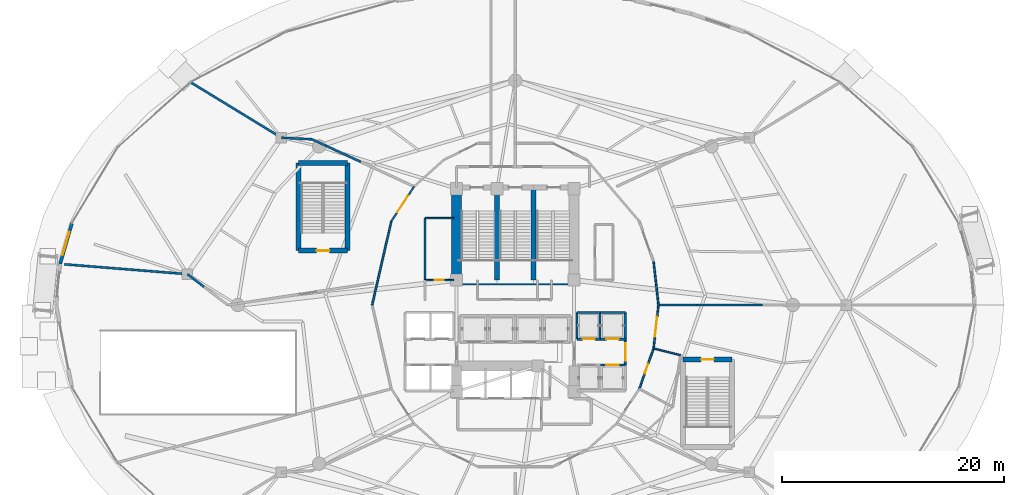
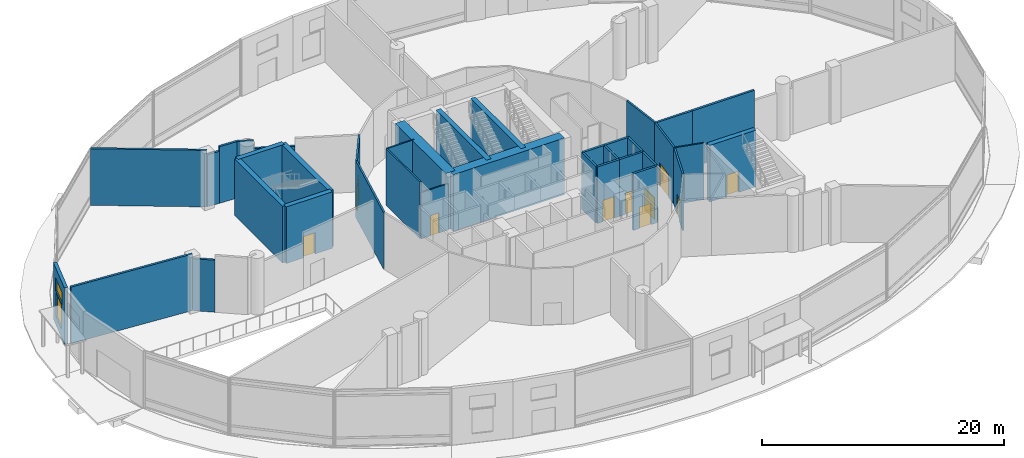
# One storey, part 33 of 40: 37 walls, 10 doors, 2 windows, 12 openings.
"""IFC4 building model written with IfcOpenShell, lengths in metres."""

import ifcopenshell
import ifcopenshell.guid

model = None  # the IFC model being written
_history = None  # IfcOwnerHistory: only IFC2X3 demands one
_inside = {}  # id of a spatial element -> (the spatial element, [elements in it])
_under = {}  # id of a project, library or spatial element -> (it, [spatial elements below it])
_declared = {}  # id of a project -> (the project, [libraries it declares])
_typed = {}  # id of a type object -> (the type object, [elements of that type])
_made_of = {}  # id of a material, layer set ... -> (it, [elements and type objects made of it])


def new_model(schema):
    """Start an empty IFC model of exactly this schema.

    Asked for "IFC4X3", IfcOpenShell would pick the latest addendum, in which some entities
    have other attributes; the version numbers below select the first issue.
    IFC2X3 requires an IfcOwnerHistory on every rooted entity: one is made here for all.
    """
    global model, _history
    if schema == "IFC4X3":
        model = ifcopenshell.file(schema_version=(4, 3, 0, 0))
    else:
        model = ifcopenshell.file(schema=schema)
    _inside.clear()
    _under.clear()
    _declared.clear()
    _typed.clear()
    _made_of.clear()
    _history = None
    if model.schema == "IFC2X3":
        org = make("IfcOrganization", Name="unknown")
        user = make(
            "IfcPersonAndOrganization",
            ThePerson=make("IfcPerson", FamilyName="unknown"),
            TheOrganization=org,
        )
        app = make(
            "IfcApplication",
            ApplicationDeveloper=org,
            Version="unknown",
            ApplicationFullName="unknown",
            ApplicationIdentifier="unknown",
        )
        _history = make(
            "IfcOwnerHistory",
            OwningUser=user,
            OwningApplication=app,
            ChangeAction="ADDED",
            CreationDate=0,
        )
    return model


def make(cls, **values):
    """One entity of the class cls with the attributes given. An attribute that is None is left unset."""
    return model.create_entity(
        cls, **{name: value for name, value in values.items() if value is not None}
    )


def rooted(cls, **values):
    """An entity with a GlobalId (a new one), such as an element, a storey or a relation."""
    return make(cls, GlobalId=ifcopenshell.guid.new(), OwnerHistory=_history, **values)


def si_unit(unit_type, name, prefix=None):
    """IfcSIUnit, for example si_unit("LENGTHUNIT", "METRE", prefix="MILLI")."""
    return make("IfcSIUnit", UnitType=unit_type, Prefix=prefix, Name=name)


def assignment(units):
    """IfcUnitAssignment: the units of a project."""
    return None if units is None else make("IfcUnitAssignment", Units=units)


def point(xyz):
    """IfcCartesianPoint."""
    return None if xyz is None else make("IfcCartesianPoint", Coordinates=xyz)


def direction(xyz):
    """IfcDirection."""
    return None if xyz is None else make("IfcDirection", DirectionRatios=xyz)


def frame(location, z_axis=None, x_axis=None):
    """IfcAxis2Placement3D, a coordinate frame: its origin and axes. An axis left out is left unset."""
    return make(
        "IfcAxis2Placement3D",
        Location=point(location),
        Axis=direction(z_axis),
        RefDirection=direction(x_axis),
    )


def frame_2d(location, x_axis=None):
    """IfcAxis2Placement2D, a coordinate frame in the plane: its origin and x axis."""
    return make(
        "IfcAxis2Placement2D", Location=point(location), RefDirection=direction(x_axis)
    )


def origin():
    """The frame at (0, 0, 0) with its axes left unset."""
    return frame((0.0, 0.0, 0.0))


def place(relative_to, where):
    """IfcLocalPlacement: puts the frame where relative to a parent placement (None: the world)."""
    return make(
        "IfcLocalPlacement", PlacementRelTo=relative_to, RelativePlacement=where
    )


def context(
    kind, dimensions, precision=None, world=None, true_north=None, identifier=None
):
    """IfcGeometricRepresentationContext, for example the 3D "Model" context."""
    return make(
        "IfcGeometricRepresentationContext",
        ContextIdentifier=identifier,
        ContextType=kind,
        CoordinateSpaceDimension=dimensions,
        Precision=precision,
        WorldCoordinateSystem=world,
        TrueNorth=true_north,
    )


def subcontext(parent, identifier, kind, view, scale=None):
    """IfcGeometricRepresentationSubContext, for example "Body" below "Model"."""
    return make(
        "IfcGeometricRepresentationSubContext",
        ContextIdentifier=identifier,
        ContextType=kind,
        ParentContext=parent,
        TargetScale=scale,
        TargetView=view,
    )


def project(units=None, contexts=None):
    """IfcProject with its units and contexts."""
    return rooted(
        "IfcProject",
        Name="project",
        RepresentationContexts=contexts,
        UnitsInContext=assignment(units),
    )


def spatial(cls, under=None, at=None, **own):
    """A site, building, storey or space (cls), placed at a placement, below another one or the project."""
    s = rooted(cls, ObjectPlacement=at, **own)
    if under is not None:
        _under.setdefault(under.id(), (under, []))[1].append(s)
    return s


def profile(cls, at=None, kind="AREA", **sizes):
    """A parametric profile (cls). Its sizes go by their IFC names, for example OverallWidth=200.0."""
    return make(cls, ProfileType=kind, Position=at, **sizes)


def rectangle(**sizes):
    """IfcRectangleProfileDef."""
    return profile("IfcRectangleProfileDef", **sizes)


def extrude(swept, where, along, depth):
    """IfcExtrudedAreaSolid: the profile swept, set in the frame where, extruded along a direction by depth."""
    return make(
        "IfcExtrudedAreaSolid",
        SweptArea=swept,
        Position=where,
        ExtrudedDirection=direction(along),
        Depth=depth,
    )


def shape(context_of_items, identifier, shape_type, items):
    """IfcShapeRepresentation: the items that make up one representation, for example the "Body"."""
    return make(
        "IfcShapeRepresentation",
        ContextOfItems=context_of_items,
        RepresentationIdentifier=identifier,
        RepresentationType=shape_type,
        Items=items,
    )


def material(Name=None, Category=None):
    """IfcMaterial."""
    return make("IfcMaterial", Name=Name, Category=Category)


def layer(
    of_material, thickness, ventilated=None, Name=None, Category=None, Priority=None
):
    """IfcMaterialLayer: one layer of a wall or slab, of a material (None: an air gap)."""
    return make(
        "IfcMaterialLayer",
        Material=of_material,
        LayerThickness=thickness,
        IsVentilated=ventilated,
        Name=Name,
        Category=Category,
        Priority=Priority,
    )


def layer_set(layers, Name=None):
    """IfcMaterialLayerSet."""
    return make("IfcMaterialLayerSet", MaterialLayers=layers, LayerSetName=Name)


def made_of(thing, what):
    """Note that an element or type object is made of a material, layer set ...; save() writes the relation."""
    if what is not None:
        _made_of.setdefault(what.id(), (what, []))[1].append(thing)
    return thing


def type_object(cls, material=None, **own):
    """A type object (cls), such as IfcWallType, which elements share."""
    return made_of(rooted(cls, **own), material)


def element(
    cls,
    number,
    at=None,
    inside=None,
    cuts=None,
    type_object=None,
    material=None,
    context=None,
    identifier="Body",
    shape_type=None,
    held_by="IfcProductDefinitionShape",
    body=None,
    shapes=None,
    **own,
):
    """One element of the class cls, such as IfcWall. Its Tag is "e" and its number.

    at: its placement. inside: the storey or other place that contains it. cuts: it is an
    opening in that element (IfcRelVoidsElement). A single representation is given by context,
    identifier, shape_type and body (its items); several are given by shapes. held_by: the class
    of the entity that holds the representations. save() writes the other relations.
    """
    e = rooted(cls, Tag="e%d" % number, ObjectPlacement=at, **own)
    if body is not None:
        shapes = [shape(context, identifier, shape_type, body)]
    if shapes is not None:
        e.Representation = make(held_by, Representations=shapes)
    if inside is not None:
        _inside.setdefault(inside.id(), (inside, []))[1].append(e)
    if cuts is not None:
        rooted(
            "IfcRelVoidsElement", RelatingBuildingElement=cuts, RelatedOpeningElement=e
        )
    if type_object is not None:
        _typed.setdefault(type_object.id(), (type_object, []))[1].append(e)
    return made_of(e, material)


def fill(opening, filler):
    """IfcRelFillsElement: the door or window that sits in an opening."""
    return rooted(
        "IfcRelFillsElement",
        RelatingOpeningElement=opening,
        RelatedBuildingElement=filler,
    )


def aggregate(whole, parts):
    """IfcRelAggregates: a whole, such as a stair, and the parts it consists of."""
    return rooted("IfcRelAggregates", RelatingObject=whole, RelatedObjects=parts)


def save(model, path):
    """Write the relations noted so far, then the file.

    IfcRelAggregates (storeys below a building ...), IfcRelContainedInSpatialStructure (elements
    in a storey), IfcRelDefinesByType, IfcRelAssociatesMaterial and IfcRelDeclares: one each for
    every whole, place, type object, material and project.
    """
    for whole, parts in _under.values():
        aggregate(whole, parts)
    for where, things in _inside.values():
        rooted(
            "IfcRelContainedInSpatialStructure",
            RelatedElements=things,
            RelatingStructure=where,
        )
    for kind, things in _typed.values():
        rooted("IfcRelDefinesByType", RelatedObjects=things, RelatingType=kind)
    for what, things in _made_of.values():
        rooted("IfcRelAssociatesMaterial", RelatedObjects=things, RelatingMaterial=what)
    for by, libraries in _declared.values():
        rooted("IfcRelDeclares", RelatingContext=by, RelatedDefinitions=libraries)
    model.write(path)


model = new_model("IFC4")

# Units and contexts
model_context = context("Model", 3, precision=1e-05, world=origin(), true_north=direction((0.0, 1.0)))
body_context = subcontext(model_context, "Body", "Model", "MODEL_VIEW")
ifc_project = project(units=[si_unit("LENGTHUNIT", "METRE"), si_unit("AREAUNIT", "SQUARE_METRE"), si_unit("VOLUMEUNIT", "CUBIC_METRE"), si_unit("PLANEANGLEUNIT", "RADIAN"), si_unit("MASSUNIT", "GRAM", prefix="KILO")], contexts=[model_context])

# Site, building, storey
site_placement = place(None, origin())
site = spatial("IfcSite", under=ifc_project, at=site_placement, CompositionType="ELEMENT")
building_placement = place(site_placement, origin())
building = spatial("IfcBuilding", under=site, at=building_placement, Name="Nuhasar Tower", CompositionType="ELEMENT")
storey_placement = place(building_placement, origin())
storey = spatial("IfcBuildingStorey", under=building, at=storey_placement, Name="L00", CompositionType="ELEMENT", Elevation=0.0)

# Wall, openings, windows
ifc_material_1 = material(Name="Concrete C45/55", Category="concrete")
ifc_layer_1 = layer(ifc_material_1, 0.239990234375)
ifc_material_2 = material(Name="Limestone Ashlar", Category="masonry")
ifc_layer_2 = layer(ifc_material_2, 0.06005859375)
ifc_layer_set_1 = layer_set([ifc_layer_1, ifc_layer_2], Name="Concrete C45/55")
wall_type_1 = type_object("IfcWallType", Name="WL-ARC-300", PredefinedType="STANDARD", material=ifc_layer_set_1)
wall_1_placement = place(storey_placement, frame((-2.0849609375, 30.511962890625, 0.0), z_axis=(0.0, 0.0, 1.0), x_axis=(0.278207876785, 0.960520888526, 0.0)))
wall_1 = element("IfcWall", 1, at=wall_1_placement, inside=storey, type_object=wall_type_1, Name="L00 Limestone Arcade Spandrel Pier 12-1", PredefinedType="STANDARD", context=body_context, shape_type="SweptSolid", body=[
    extrude(rectangle(XDim=3.798828125, YDim=0.300048828125, at=frame_2d((1.8994140625, 0.0))), origin(), (0.0, 0.0, 1.0), 5.699951171875),
])
opening_1_placement = place(wall_1_placement, frame((1.0, 0.0, 0.89990234375)))
opening_1 = element("IfcOpeningElement", 2, at=opening_1_placement, cuts=wall_1, Name="Opening WX-01", PredefinedType="OPENING", context=body_context, shape_type="SweptSolid", body=[
    extrude(rectangle(XDim=1.800048828125, YDim=2.39990234375, at=frame_2d((0.89990234375, 1.199951171875))), frame((0.0, 0.16015625, 0.0), z_axis=(0.0, -1.0, 0.0), x_axis=(1.0, 0.0, 0.0)), (0.0, 0.0, 1.0), 0.320068359375),
])
opening_2_placement = place(wall_1_placement, frame((0.800048828125, 0.0, 3.39990234375)))
opening_2 = element("IfcOpeningElement", 3, at=opening_2_placement, cuts=wall_1, Name="Opening WX-03", PredefinedType="OPENING", context=body_context, shape_type="SweptSolid", body=[
    extrude(rectangle(XDim=2.199951171875, YDim=1.300048828125, at=frame_2d((1.10009765625, 0.64990234375))), frame((0.0, 0.16015625, 0.0), z_axis=(0.0, -1.0, 0.0), x_axis=(1.0, 0.0, 0.0)), (0.0, 0.0, 1.0), 0.320068359375),
])
ifc_material_3 = material(Name="Glass Double Low-E", Category="glass")
window_type_1 = type_object("IfcWindowType", Name="WIN-ARC-1800", PartitioningType="DOUBLE_PANEL_VERTICAL", PredefinedType="WINDOW", material=ifc_material_3)
window_1_placement = place(opening_1_placement, origin())
window_1 = element("IfcWindow", 4, at=window_1_placement, inside=storey, type_object=window_type_1, Name="L00 Arcade Vision Window 12", OverallHeight=2.39990234375, OverallWidth=1.800048828125, PartitioningType="DOUBLE_PANEL_VERTICAL", PredefinedType="WINDOW", context=body_context, shape_type="SweptSolid", body=[
    extrude(rectangle(XDim=1.800048828125, YDim=2.39990234375, at=frame_2d((0.89990234375, 1.199951171875))), frame((0.0, 0.030029296875, 0.0), z_axis=(0.0, -1.0, 0.0), x_axis=(1.0, 0.0, 0.0)), (0.0, 0.0, 1.0), 0.06005859375),
])
fill(opening_1, window_1)
window_type_2 = type_object("IfcWindowType", Name="WIN-CLER-2200", PartitioningType="DOUBLE_PANEL_HORIZONTAL", PredefinedType="WINDOW", material=ifc_material_3)
window_2_placement = place(opening_2_placement, origin())
window_2 = element("IfcWindow", 5, at=window_2_placement, inside=storey, type_object=window_type_2, Name="L00 Clerestory Light Window 12-1", OverallHeight=1.300048828125, OverallWidth=2.199951171875, PartitioningType="DOUBLE_PANEL_HORIZONTAL", PredefinedType="WINDOW", context=body_context, shape_type="SweptSolid", body=[
    extrude(rectangle(XDim=2.199951171875, YDim=1.300048828125, at=frame_2d((1.10009765625, 0.64990234375))), frame((0.0, 0.030029296875, 0.0), z_axis=(0.0, -1.0, 0.0), x_axis=(1.0, 0.0, 0.0)), (0.0, 0.0, 1.0), 0.06005859375),
])
fill(opening_2, window_2)

# Walls
ifc_material_4 = material(Name="Concrete C50/60", Category="concrete")
ifc_layer_3 = layer(ifc_material_4, 0.449951171875)
ifc_layer_set_2 = layer_set([ifc_layer_3], Name="Concrete C50/60")
wall_type_2 = type_object("IfcWallType", Name="WL-CORE-450", PredefinedType="SHEAR", material=ifc_layer_set_2)
for number, where, z_axis, x_axis, name in (
    (6, (37.35009765625, 29.050048828125, 0.0), (0.0, 0.0, 1.0), (0.0, 1.0, 0.0), "L00 Stairwell Shear Wall ST01-E"),
    (7, (40.64990234375, 29.050048828125, 0.0), (0.0, 0.0, 1.0), (0.0, 1.0, 0.0), "L00 Stairwell Shear Wall ST03-E"),
):
    element("IfcWall", number, at=place(storey_placement, frame(where, z_axis=z_axis, x_axis=x_axis)), inside=storey, type_object=wall_type_2, Name=name, PredefinedType="SHEAR", context=body_context, shape_type="SweptSolid", body=[
        extrude(rectangle(XDim=8.349853515625, YDim=0.449951171875, at=frame_2d((4.1748046875, 0.0))), origin(), (0.0, 0.0, 1.0), 5.699951171875),
    ])

# Wall, opening, door
wall_2_placement = place(storey_placement, frame((23.85009765625, 31.699951171875, 0.0), z_axis=(0.0, 0.0, 1.0), x_axis=(-1.0, 0.0, 0.0)))
wall_2 = element("IfcWall", 8, at=wall_2_placement, inside=storey, type_object=wall_type_2, Name="L00 Stairwell Shear Wall ST-04-S", PredefinedType="SHEAR", context=body_context, shape_type="SweptSolid", body=[
    extrude(rectangle(XDim=4.400146484375, YDim=0.449951171875, at=frame_2d((2.2001953125, 0.0))), origin(), (0.0, 0.0, 1.0), 5.699951171875),
])
opening_3_placement = place(wall_2_placement, frame((1.625, 0.0, 0.0)))
opening_3 = element("IfcOpeningElement", 9, at=opening_3_placement, cuts=wall_2, Name="Opening DS-01", PredefinedType="OPENING", context=body_context, shape_type="SweptSolid", body=[
    extrude(rectangle(XDim=1.14990234375, YDim=2.14990234375, at=frame_2d((0.574951171875, 1.074951171875))), frame((0.0, 0.23486328125, 0.0), z_axis=(0.0, -1.0, 0.0), x_axis=(1.0, 0.0, 0.0)), (0.0, 0.0, 1.0), 0.469970703125),
])
ifc_material_5 = material(Name="Steel S355", Category="steel")
door_type_1 = type_object("IfcDoorType", Name="DR-STAIR-FD120-1150", OperationType="NOTDEFINED", PredefinedType="DOOR", material=ifc_material_5)
door_1_placement = place(opening_3_placement, origin())
door_1 = element("IfcDoor", 10, at=door_1_placement, inside=storey, type_object=door_type_1, Name="L00 Exit Stair ST-04 Door", OperationType="SINGLE_SWING_LEFT", OverallHeight=2.14990234375, OverallWidth=1.14990234375, PredefinedType="DOOR", context=body_context, shape_type="SweptSolid", body=[
    extrude(rectangle(XDim=1.14990234375, YDim=2.14990234375, at=frame_2d((0.574951171875, 1.074951171875))), frame((0.0, 0.02490234375, 0.0), z_axis=(0.0, -1.0, 0.0), x_axis=(1.0, 0.0, 0.0)), (0.0, 0.0, 1.0), 0.050048828125),
])
fill(opening_3, door_1)

# Walls
wall_3_placement = place(storey_placement, frame((19.449951171875, 39.60009765625, 0.0), z_axis=(0.0, 0.0, 1.0), x_axis=(1.0, 0.0, 0.0)))
element("IfcWall", 11, at=wall_3_placement, inside=storey, type_object=wall_type_2, Name="L00 Stairwell Shear Wall ST-04-N", PredefinedType="SHEAR", context=body_context, shape_type="SweptSolid", body=[
    extrude(rectangle(XDim=4.400146484375, YDim=0.449951171875, at=frame_2d((2.2001953125, 0.0))), origin(), (0.0, 0.0, 1.0), 5.699951171875),
])
for number, where, z_axis, x_axis, name in (
    (12, (19.449951171875, 31.699951171875, 0.0), (0.0, 0.0, 1.0), (0.0, 1.0, 0.0), "L00 Stairwell Shear Wall ST-04-W"),
    (13, (23.85009765625, 31.699951171875, 0.0), (0.0, 0.0, 1.0), (0.0, 1.0, 0.0), "L00 Stairwell Shear Wall ST-04-E"),
):
    element("IfcWall", number, at=place(storey_placement, frame(where, z_axis=z_axis, x_axis=x_axis)), inside=storey, type_object=wall_type_2, Name=name, PredefinedType="SHEAR", context=body_context, shape_type="SweptSolid", body=[
        extrude(rectangle(XDim=7.900146484375, YDim=0.449951171875, at=frame_2d((3.9501953125, 0.0))), origin(), (0.0, 0.0, 1.0), 5.699951171875),
    ])

# Wall, opening, door
wall_4_placement = place(storey_placement, frame((54.14990234375, 21.89990234375, 0.0), z_axis=(0.0, 0.0, 1.0), x_axis=(1.0, 0.0, 0.0)))
wall_4 = element("IfcWall", 14, at=wall_4_placement, inside=storey, type_object=wall_type_2, Name="L00 Stairwell Shear Wall ST-05-N", PredefinedType="SHEAR", context=body_context, shape_type="SweptSolid", body=[
    extrude(rectangle(XDim=4.400146484375, YDim=0.449951171875, at=frame_2d((2.2001953125, 0.0))), origin(), (0.0, 0.0, 1.0), 5.699951171875),
])
opening_4_placement = place(wall_4_placement, frame((1.625, 0.0, 0.0)))
opening_4 = element("IfcOpeningElement", 15, at=opening_4_placement, cuts=wall_4, Name="Opening DS-01", PredefinedType="OPENING", context=body_context, shape_type="SweptSolid", body=[
    extrude(rectangle(XDim=1.14990234375, YDim=2.14990234375, at=frame_2d((0.574951171875, 1.074951171875))), frame((0.0, 0.23486328125, 0.0), z_axis=(0.0, -1.0, 0.0), x_axis=(1.0, 0.0, 0.0)), (0.0, 0.0, 1.0), 0.469970703125),
])
door_2_placement = place(opening_4_placement, origin())
door_2 = element("IfcDoor", 16, at=door_2_placement, inside=storey, type_object=door_type_1, Name="L00 Exit Stair ST-05 Door", OperationType="SINGLE_SWING_RIGHT", OverallHeight=2.14990234375, OverallWidth=1.14990234375, PredefinedType="DOOR", context=body_context, shape_type="SweptSolid", body=[
    extrude(rectangle(XDim=1.14990234375, YDim=2.14990234375, at=frame_2d((0.574951171875, 1.074951171875))), frame((0.0, 0.02490234375, 0.0), z_axis=(0.0, -1.0, 0.0), x_axis=(1.0, 0.0, 0.0)), (0.0, 0.0, 1.0), 0.050048828125),
])
fill(opening_4, door_2)

# Walls
ifc_material_6 = material(Name="Concrete C80/95", Category="concrete")
ifc_layer_4 = layer(ifc_material_6, 0.89990234375)
ifc_layer_set_3 = layer_set([ifc_layer_4], Name="Concrete C80/95")
wall_type_3 = type_object("IfcWallType", Name="WL-CORE-900", PredefinedType="SHEAR", material=ifc_layer_set_3)
wall_5_placement = place(storey_placement, frame((33.699951171875, 29.050048828125, 0.0), z_axis=(0.0, 0.0, 1.0), x_axis=(0.0, 1.0, 0.0)))
element("IfcWall", 17, at=wall_5_placement, inside=storey, type_object=wall_type_3, Name="L00 Core Shear Wall CW-NW CW-900", PredefinedType="SHEAR", context=body_context, shape_type="SweptSolid", body=[
    extrude(rectangle(XDim=8.349853515625, YDim=0.89990234375, at=frame_2d((4.1748046875, 0.0))), origin(), (0.0, 0.0, 1.0), 5.699951171875),
])
wall_6_placement = place(storey_placement, frame((33.699951171875, 29.050048828125, 0.0), z_axis=(0.0, 0.0, 1.0), x_axis=(1.0, 0.0, 0.0)))
element("IfcWall", 18, at=wall_6_placement, inside=storey, type_object=wall_type_3, Name="L00 Core Shear Wall CW-N1 CW-900", PredefinedType="SHEAR", context=body_context, shape_type="SweptSolid", body=[
    extrude(rectangle(XDim=10.60009765625, YDim=0.89990234375, at=frame_2d((5.300048828125, 0.0))), origin(), (0.0, 0.0, 1.0), 5.699951171875),
])
ifc_material_7 = material(Name="Gypsum Board", Category="gypsum")
ifc_layer_5 = layer(ifc_material_7, 0.159912109375)
ifc_layer_set_4 = layer_set([ifc_layer_5], Name="Gypsum Board")
wall_type_4 = type_object("IfcWallType", Name="WL-CORR-160", PredefinedType="PARTITIONING", material=ifc_layer_set_4)
wall_7_placement = place(storey_placement, frame((51.919921875, 26.800048828125, 0.0), z_axis=(0.0, 0.0, 1.0), x_axis=(-0.111731247657, 0.993738460711, 0.0)))
element("IfcWall", 19, at=wall_7_placement, inside=storey, type_object=wall_type_4, Name="L00 Interior Partition CORR-00", PredefinedType="PARTITIONING", context=body_context, shape_type="SweptSolid", body=[
    extrude(rectangle(XDim=3.9375, YDim=0.159912109375, at=frame_2d((1.96875, 0.0))), origin(), (0.0, 0.0, 1.0), 5.699951171875),
])

# Wall, opening, door
wall_8_placement = place(storey_placement, frame((27.81103515625, 34.360107421875, 0.0), z_axis=(0.0, 0.0, 1.0), x_axis=(0.548348738977, 0.836249759619, 0.0)))
wall_8 = element("IfcWall", 20, at=wall_8_placement, inside=storey, type_object=wall_type_4, Name="L00 Interior Partition CORR-18", PredefinedType="PARTITIONING", context=body_context, shape_type="SweptSolid", body=[
    extrude(rectangle(XDim=3.743896484375, YDim=0.159912109375, at=frame_2d((1.8720703125, 0.0))), origin(), (0.0, 0.0, 1.0), 5.699951171875),
])
opening_5_placement = place(wall_8_placement, frame((0.971923828125, 0.0, 0.0)))
opening_5 = element("IfcOpeningElement", 21, at=opening_5_placement, cuts=wall_8, Name="Opening DB-02", PredefinedType="OPENING", context=body_context, shape_type="SweptSolid", body=[
    extrude(rectangle(XDim=1.800048828125, YDim=2.300048828125, at=frame_2d((0.89990234375, 1.14990234375))), frame((0.0, 0.08984375, 0.0), z_axis=(0.0, -1.0, 0.0), x_axis=(1.0, 0.0, 0.0)), (0.0, 0.0, 1.0), 0.179931640625),
])
ifc_material_8 = material(Name="Aluminium 6063-T6", Category="aluminium")
door_type_2 = type_object("IfcDoorType", Name="DR-BALL-FD60-1800", OperationType="DOUBLE_DOOR_SINGLE_SWING", PredefinedType="DOOR", material=ifc_material_8)
door_3_placement = place(opening_5_placement, origin())
door_3 = element("IfcDoor", 22, at=door_3_placement, inside=storey, type_object=door_type_2, Name="L00 Luxury Retail Galleria Door", OperationType="DOUBLE_DOOR_SINGLE_SWING", OverallHeight=2.300048828125, OverallWidth=1.800048828125, PredefinedType="DOOR", context=body_context, shape_type="SweptSolid", body=[
    extrude(rectangle(XDim=1.800048828125, YDim=2.300048828125, at=frame_2d((0.89990234375, 1.14990234375))), frame((0.0, 0.02490234375, 0.0), z_axis=(0.0, -1.0, 0.0), x_axis=(1.0, 0.0, 0.0)), (0.0, 0.0, 1.0), 0.050048828125),
])
fill(opening_5, door_3)

# Wall
wall_9_placement = place(storey_placement, frame((27.81103515625, 34.360107421875, 0.0), z_axis=(0.0, 0.0, 1.0), x_axis=(-0.223185487206, -0.974775993909, 0.0)))
element("IfcWall", 23, at=wall_9_placement, inside=storey, type_object=wall_type_4, Name="L00 Interior Partition CORR-20", PredefinedType="PARTITIONING", context=body_context, shape_type="SweptSolid", body=[
    extrude(rectangle(XDim=7.755615234375, YDim=0.159912109375, at=frame_2d((3.8779296875, 0.0))), origin(), (0.0, 0.0, 1.0), 5.699951171875),
])

# Wall, opening, door
wall_10_placement = place(storey_placement, frame((51.47998046875, 22.886962890625, 0.0), z_axis=(0.0, 0.0, 1.0), x_axis=(-0.333704620558, -0.942677689467, 0.0)))
wall_10 = element("IfcWall", 24, at=wall_10_placement, inside=storey, type_object=wall_type_4, Name="L00 Interior Partition CORR-44", PredefinedType="PARTITIONING", context=body_context, shape_type="SweptSolid", body=[
    extrude(rectangle(XDim=3.86865234375, YDim=0.159912109375, at=frame_2d((1.934326171875, 0.0))), origin(), (0.0, 0.0, 1.0), 5.699951171875),
])
opening_6_placement = place(wall_10_placement, frame((1.458984375, 0.0, 0.0)))
opening_6 = element("IfcOpeningElement", 25, at=opening_6_placement, cuts=wall_10, Name="Opening DA-01", PredefinedType="OPENING", context=body_context, shape_type="SweptSolid", body=[
    extrude(rectangle(XDim=0.949951171875, YDim=2.10009765625, at=frame_2d((0.47509765625, 1.050048828125))), frame((0.0, 0.08984375, 0.0), z_axis=(0.0, -1.0, 0.0), x_axis=(1.0, 0.0, 0.0)), (0.0, 0.0, 1.0), 0.179931640625),
])
ifc_material_9 = material(Name="Timber Oak", Category="wood")
door_type_3 = type_object("IfcDoorType", Name="DR-ACCWC-950", OperationType="NOTDEFINED", PredefinedType="DOOR", material=ifc_material_9)
door_4_placement = place(opening_6_placement, origin())
door_4 = element("IfcDoor", 26, at=door_4_placement, inside=storey, type_object=door_type_3, Name="L00 Public Accessible WC Door", OperationType="SINGLE_SWING_LEFT", OverallHeight=2.10009765625, OverallWidth=0.949951171875, PredefinedType="DOOR", context=body_context, shape_type="SweptSolid", body=[
    extrude(rectangle(XDim=0.949951171875, YDim=2.10009765625, at=frame_2d((0.47509765625, 1.050048828125))), frame((0.0, 0.02490234375, 0.0), z_axis=(0.0, -1.0, 0.0), x_axis=(1.0, 0.0, 0.0)), (0.0, 0.0, 1.0), 0.050048828125),
])
fill(opening_6, door_4)

wall_11_placement = place(storey_placement, frame((51.919921875, 26.800048828125, 0.0), z_axis=(0.0, 0.0, 1.0), x_axis=(-0.111724363671, -0.99373923469, 0.0)))
wall_11 = element("IfcWall", 27, at=wall_11_placement, inside=storey, type_object=wall_type_4, Name="L00 Interior Partition CORR-46", PredefinedType="PARTITIONING", context=body_context, shape_type="SweptSolid", body=[
    extrude(rectangle(XDim=3.937744140625, YDim=0.159912109375, at=frame_2d((1.96875, 0.0))), origin(), (0.0, 0.0, 1.0), 5.699951171875),
])
opening_7_placement = place(wall_11_placement, frame((1.069091796875, 0.0, 0.0)))
opening_7 = element("IfcOpeningElement", 28, at=opening_7_placement, cuts=wall_11, Name="Opening DB-02", PredefinedType="OPENING", context=body_context, shape_type="SweptSolid", body=[
    extrude(rectangle(XDim=1.800048828125, YDim=2.300048828125, at=frame_2d((0.89990234375, 1.14990234375))), frame((0.0, 0.08984375, 0.0), z_axis=(0.0, -1.0, 0.0), x_axis=(1.0, 0.0, 0.0)), (0.0, 0.0, 1.0), 0.179931640625),
])
door_5_placement = place(opening_7_placement, origin())
door_5 = element("IfcDoor", 29, at=door_5_placement, inside=storey, type_object=door_type_2, Name="L00 East Retail Lounge Door", OperationType="DOUBLE_DOOR_SINGLE_SWING", OverallHeight=2.300048828125, OverallWidth=1.800048828125, PredefinedType="DOOR", context=body_context, shape_type="SweptSolid", body=[
    extrude(rectangle(XDim=1.800048828125, YDim=2.300048828125, at=frame_2d((0.89990234375, 1.14990234375))), frame((0.0, 0.02490234375, 0.0), z_axis=(0.0, -1.0, 0.0), x_axis=(1.0, 0.0, 0.0)), (0.0, 0.0, 1.0), 0.050048828125),
])
fill(opening_7, door_5)

ifc_layer_6 = layer(ifc_material_1, 0.199951171875)
ifc_layer_set_5 = layer_set([ifc_layer_6], Name="Concrete C45/55")
wall_type_5 = type_object("IfcWallType", Name="WL-LOBBY-200", PredefinedType="SOLIDWALL", material=ifc_layer_set_5)
wall_12_placement = place(storey_placement, frame((48.929931640625, 23.719970703125, 0.0), z_axis=(0.0, 0.0, 1.0), x_axis=(0.0, -1.0, 0.0)))
wall_12 = element("IfcWall", 30, at=wall_12_placement, inside=storey, type_object=wall_type_5, Name="L00 Interior Partition LLBM-E", PredefinedType="SOLIDWALL", context=body_context, shape_type="SweptSolid", body=[
    extrude(rectangle(XDim=2.340087890625, YDim=0.199951171875, at=frame_2d((1.169921875, 0.0))), origin(), (0.0, 0.0, 1.0), 5.699951171875),
])
opening_8_placement = place(wall_12_placement, frame((0.3701171875, 0.0, 0.0)))
opening_8 = element("IfcOpeningElement", 31, at=opening_8_placement, cuts=wall_12, Name="Opening DC-01", PredefinedType="OPENING", context=body_context, shape_type="SweptSolid", body=[
    extrude(rectangle(XDim=1.60009765625, YDim=2.199951171875, at=frame_2d((0.800048828125, 1.10009765625))), frame((0.0, 0.10986328125, 0.0), z_axis=(0.0, -1.0, 0.0), x_axis=(1.0, 0.0, 0.0)), (0.0, 0.0, 1.0), 0.219970703125),
])
door_type_4 = type_object("IfcDoorType", Name="DR-CORR-FD60-1600", OperationType="DOUBLE_DOOR_SINGLE_SWING", PredefinedType="DOOR", material=ifc_material_5)
door_6_placement = place(opening_8_placement, origin())
door_6 = element("IfcDoor", 32, at=door_6_placement, inside=storey, type_object=door_type_4, Name="L00 Mid-Rise Lift Lobby East Entry", OperationType="DOUBLE_DOOR_SINGLE_SWING", OverallHeight=2.199951171875, OverallWidth=1.60009765625, PredefinedType="DOOR", context=body_context, shape_type="SweptSolid", body=[
    extrude(rectangle(XDim=1.60009765625, YDim=2.199951171875, at=frame_2d((0.800048828125, 1.10009765625))), frame((0.0, 0.02490234375, 0.0), z_axis=(0.0, -1.0, 0.0), x_axis=(1.0, 0.0, 0.0)), (0.0, 0.0, 1.0), 0.050048828125),
])
fill(opening_8, door_6)

# Walls
wall_13_placement = place(storey_placement, frame((10.912109375, 28.43505859375, 0.0), z_axis=(0.0, 0.0, 1.0), x_axis=(-0.794514897702, 0.607244660191, 0.0)))
element("IfcWall", 33, at=wall_13_placement, inside=storey, type_object=wall_type_5, Name="L00 Interior Partition VEHDRV-N-S2", PredefinedType="SOLIDWALL", context=body_context, shape_type="SweptSolid", body=[
    extrude(rectangle(XDim=1.89697265625, YDim=0.199951171875, at=frame_2d((0.948486328125, 0.0))), origin(), (0.0, 0.0, 1.0), 5.239990234375),
])
wall_14_placement = place(storey_placement, frame((9.405029296875, 29.5869140625, 0.0), z_axis=(0.0, 0.0, 1.0), x_axis=(-0.996809841109, 0.079813161002, 0.0)))
element("IfcWall", 34, at=wall_14_placement, inside=storey, type_object=wall_type_5, Name="L00 Interior Partition VEHDRV-N-S3", PredefinedType="SOLIDWALL", context=body_context, shape_type="SweptSolid", body=[
    extrude(rectangle(XDim=11.140625, YDim=0.199951171875, at=frame_2d((5.5703125, 0.0))), origin(), (0.0, 0.0, 1.0), 5.699951171875),
])

# Wall, opening, door
ifc_layer_7 = layer(ifc_material_1, 0.199951171875)
ifc_layer_set_6 = layer_set([ifc_layer_7], Name="Concrete C45/55")
wall_type_6 = type_object("IfcWallType", Name="WL-SHAFT-200", PredefinedType="SOLIDWALL", material=ifc_layer_set_6)
wall_15_placement = place(storey_placement, frame((44.570068359375, 23.719970703125, 0.0), z_axis=(0.0, 0.0, 1.0), x_axis=(1.0, 0.0, 0.0)))
wall_15 = element("IfcWall", 35, at=wall_15_placement, inside=storey, type_object=wall_type_6, Name="L00 Interior Partition SHF-PL-M01-S", PredefinedType="SOLIDWALL", context=body_context, shape_type="SweptSolid", body=[
    extrude(rectangle(XDim=2.10986328125, YDim=0.199951171875, at=frame_2d((1.054931640625, 0.0))), origin(), (0.0, 0.0, 1.0), 5.699951171875),
])
opening_9_placement = place(wall_15_placement, frame((0.5048828125, 0.0, 0.0)))
opening_9 = element("IfcOpeningElement", 36, at=opening_9_placement, cuts=wall_15, Name="Opening LD-M01", PredefinedType="OPENING", context=body_context, shape_type="SweptSolid", body=[
    extrude(rectangle(XDim=1.10009765625, YDim=2.14990234375, at=frame_2d((0.550048828125, 1.074951171875))), frame((0.0, 0.10986328125, 0.0), z_axis=(0.0, -1.0, 0.0), x_axis=(1.0, 0.0, 0.0)), (0.0, 0.0, 1.0), 0.219970703125),
])
ifc_material_10 = material(Name="Stainless Steel 316L", Category="steel")
door_type_5 = type_object("IfcDoorType", Name="LD-PAX-1100", OperationType="DOUBLE_DOOR_SLIDING", PredefinedType="DOOR", material=ifc_material_10)
door_7_placement = place(opening_9_placement, origin())
door_7 = element("IfcDoor", 37, at=door_7_placement, inside=storey, type_object=door_type_5, Name="L00 Lift Landing Door PL-M01", OperationType="DOUBLE_DOOR_SLIDING", OverallHeight=2.14990234375, OverallWidth=1.10009765625, PredefinedType="DOOR", context=body_context, shape_type="SweptSolid", body=[
    extrude(rectangle(XDim=1.10009765625, YDim=2.14990234375, at=frame_2d((0.550048828125, 1.074951171875))), frame((0.0, 0.02490234375, 0.0), z_axis=(0.0, -1.0, 0.0), x_axis=(1.0, 0.0, 0.0)), (0.0, 0.0, 1.0), 0.050048828125),
])
fill(opening_9, door_7)

# Walls
wall_16_placement = place(storey_placement, frame((44.570068359375, 26.1298828125, 0.0), z_axis=(0.0, 0.0, 1.0), x_axis=(1.0, 0.0, 0.0)))
element("IfcWall", 38, at=wall_16_placement, inside=storey, type_object=wall_type_6, Name="L00 Interior Partition SHF-PL-M01-N", PredefinedType="SOLIDWALL", context=body_context, shape_type="SweptSolid", body=[
    extrude(rectangle(XDim=2.10986328125, YDim=0.199951171875, at=frame_2d((1.054931640625, 0.0))), origin(), (0.0, 0.0, 1.0), 5.699951171875),
])
for number, where, z_axis, x_axis, name in (
    (39, (44.570068359375, 23.719970703125, 0.0), (0.0, 0.0, 1.0), (0.0, 1.0, 0.0), "L00 Interior Partition SHF-PL-M01-W"),
    (40, (46.64990234375, 23.719970703125, 0.0), (0.0, 0.0, 1.0), (0.0, 1.0, 0.0), "L00 Interior Partition SHF-PL-M01-E"),
):
    element("IfcWall", number, at=place(storey_placement, frame(where, z_axis=z_axis, x_axis=x_axis)), inside=storey, type_object=wall_type_6, Name=name, PredefinedType="SOLIDWALL", context=body_context, shape_type="SweptSolid", body=[
        extrude(rectangle(XDim=2.409912109375, YDim=0.199951171875, at=frame_2d((1.205078125, 0.0))), origin(), (0.0, 0.0, 1.0), 5.699951171875),
    ])

# Wall, opening, door
wall_17_placement = place(storey_placement, frame((46.6201171875, 23.719970703125, 0.0), z_axis=(0.0, 0.0, 1.0), x_axis=(1.0, 0.0, 0.0)))
wall_17 = element("IfcWall", 41, at=wall_17_placement, inside=storey, type_object=wall_type_6, Name="L00 Interior Partition SHF-PL-M02-S", PredefinedType="SOLIDWALL", context=body_context, shape_type="SweptSolid", body=[
    extrude(rectangle(XDim=2.309814453125, YDim=0.199951171875, at=frame_2d((1.15478515625, 0.0))), origin(), (0.0, 0.0, 1.0), 5.699951171875),
])
opening_10_placement = place(wall_17_placement, frame((0.60498046875, 0.0, 0.0)))
opening_10 = element("IfcOpeningElement", 42, at=opening_10_placement, cuts=wall_17, Name="Opening LD-M02", PredefinedType="OPENING", context=body_context, shape_type="SweptSolid", body=[
    extrude(rectangle(XDim=1.10009765625, YDim=2.14990234375, at=frame_2d((0.550048828125, 1.074951171875))), frame((0.0, 0.10986328125, 0.0), z_axis=(0.0, -1.0, 0.0), x_axis=(1.0, 0.0, 0.0)), (0.0, 0.0, 1.0), 0.219970703125),
])
door_8_placement = place(opening_10_placement, origin())
door_8 = element("IfcDoor", 43, at=door_8_placement, inside=storey, type_object=door_type_5, Name="L00 Lift Landing Door PL-M02", OperationType="DOUBLE_DOOR_SLIDING", OverallHeight=2.14990234375, OverallWidth=1.10009765625, PredefinedType="DOOR", context=body_context, shape_type="SweptSolid", body=[
    extrude(rectangle(XDim=1.10009765625, YDim=2.14990234375, at=frame_2d((0.550048828125, 1.074951171875))), frame((0.0, 0.02490234375, 0.0), z_axis=(0.0, -1.0, 0.0), x_axis=(1.0, 0.0, 0.0)), (0.0, 0.0, 1.0), 0.050048828125),
])
fill(opening_10, door_8)

# Walls
wall_18_placement = place(storey_placement, frame((46.6201171875, 26.1298828125, 0.0), z_axis=(0.0, 0.0, 1.0), x_axis=(1.0, 0.0, 0.0)))
element("IfcWall", 44, at=wall_18_placement, inside=storey, type_object=wall_type_6, Name="L00 Interior Partition SHF-PL-M02-N", PredefinedType="SOLIDWALL", context=body_context, shape_type="SweptSolid", body=[
    extrude(rectangle(XDim=2.309814453125, YDim=0.199951171875, at=frame_2d((1.15478515625, 0.0))), origin(), (0.0, 0.0, 1.0), 5.699951171875),
])
wall_19_placement = place(storey_placement, frame((48.929931640625, 23.719970703125, 0.0), z_axis=(0.0, 0.0, 1.0), x_axis=(0.0, 1.0, 0.0)))
element("IfcWall", 45, at=wall_19_placement, inside=storey, type_object=wall_type_6, Name="L00 Interior Partition SHF-PL-M02-E", PredefinedType="SOLIDWALL", context=body_context, shape_type="SweptSolid", body=[
    extrude(rectangle(XDim=2.409912109375, YDim=0.199951171875, at=frame_2d((1.205078125, 0.0))), origin(), (0.0, 0.0, 1.0), 5.699951171875),
])

# Wall, opening, door
wall_20_placement = place(storey_placement, frame((46.6201171875, 21.3798828125, 0.0), z_axis=(0.0, 0.0, 1.0), x_axis=(1.0, 0.0, 0.0)))
wall_20 = element("IfcWall", 46, at=wall_20_placement, inside=storey, type_object=wall_type_6, Name="L00 Interior Partition SHF-PL-M04-N", PredefinedType="SOLIDWALL", context=body_context, shape_type="SweptSolid", body=[
    extrude(rectangle(XDim=2.309814453125, YDim=0.199951171875, at=frame_2d((1.15478515625, 0.0))), origin(), (0.0, 0.0, 1.0), 5.699951171875),
])
opening_11_placement = place(wall_20_placement, frame((0.60498046875, 0.0, 0.0)))
opening_11 = element("IfcOpeningElement", 47, at=opening_11_placement, cuts=wall_20, Name="Opening LD-M04", PredefinedType="OPENING", context=body_context, shape_type="SweptSolid", body=[
    extrude(rectangle(XDim=1.10009765625, YDim=2.14990234375, at=frame_2d((0.550048828125, 1.074951171875))), frame((0.0, 0.10986328125, 0.0), z_axis=(0.0, -1.0, 0.0), x_axis=(1.0, 0.0, 0.0)), (0.0, 0.0, 1.0), 0.219970703125),
])
door_9_placement = place(opening_11_placement, origin())
door_9 = element("IfcDoor", 48, at=door_9_placement, inside=storey, type_object=door_type_5, Name="L00 Lift Landing Door PL-M04", OperationType="DOUBLE_DOOR_SLIDING", OverallHeight=2.14990234375, OverallWidth=1.10009765625, PredefinedType="DOOR", context=body_context, shape_type="SweptSolid", body=[
    extrude(rectangle(XDim=1.10009765625, YDim=2.14990234375, at=frame_2d((0.550048828125, 1.074951171875))), frame((0.0, 0.02490234375, 0.0), z_axis=(0.0, -1.0, 0.0), x_axis=(1.0, 0.0, 0.0)), (0.0, 0.0, 1.0), 0.050048828125),
])
fill(opening_11, door_9)

# Walls
ifc_material_11 = material(Name="Concrete C40/50 precast", Category="concrete")
ifc_layer_8 = layer(ifc_material_11, 0.199951171875)
ifc_layer_set_7 = layer_set([ifc_layer_8], Name="Concrete C40/50 precast")
wall_type_7 = type_object("IfcWallType", Name="WL-UNIT-200", PredefinedType="PARTITIONING", material=ifc_layer_set_7)
wall_21_placement = place(storey_placement, frame((51.919921875, 26.800048828125, 0.0), z_axis=(0.0, 0.0, 1.0), x_axis=(1.0, 0.0, 0.0)))
element("IfcWall", 49, at=wall_21_placement, inside=storey, type_object=wall_type_7, Name="L00 Interior Partition PRAD-00-S1", PredefinedType="PARTITIONING", context=body_context, shape_type="SweptSolid", body=[
    extrude(rectangle(XDim=3.47998046875, YDim=0.199951171875, at=frame_2d((1.739990234375, 0.0))), origin(), (0.0, 0.0, 1.0), 5.699951171875),
])
wall_22_placement = place(storey_placement, frame((55.39990234375, 26.800048828125, 0.0), z_axis=(0.0, 0.0, 1.0), x_axis=(1.0, 0.0, 0.0)))
element("IfcWall", 50, at=wall_22_placement, inside=storey, type_object=wall_type_7, Name="L00 Interior Partition PRAD-00-S2", PredefinedType="PARTITIONING", context=body_context, shape_type="SweptSolid", body=[
    extrude(rectangle(XDim=5.9169921875, YDim=0.199951171875, at=frame_2d((2.95849609375, 0.0))), origin(), (0.0, 0.0, 1.0), 5.699951171875),
])
wall_23_placement = place(storey_placement, frame((25.053955078125, 39.717041015625, 0.0), z_axis=(0.0, 0.0, 1.0), x_axis=(-0.90747190463, 0.420112773321, 0.0)))
element("IfcWall", 51, at=wall_23_placement, inside=storey, type_object=wall_type_7, Name="L00 Interior Partition PRAD-18-S1", PredefinedType="PARTITIONING", context=body_context, shape_type="SweptSolid", body=[
    extrude(rectangle(XDim=3.448974609375, YDim=0.199951171875, at=frame_2d((1.724609375, 0.0))), origin(), (0.0, 0.0, 1.0), 4.919921875),
])
wall_24_placement = place(storey_placement, frame((21.924072265625, 41.166015625, 0.0), z_axis=(0.0, 0.0, 1.0), x_axis=(-0.907622896373, 0.419786467124, 0.0)))
element("IfcWall", 52, at=wall_24_placement, inside=storey, type_object=wall_type_7, Name="L00 Interior Partition PRAD-18-S1", PredefinedType="PARTITIONING", context=body_context, shape_type="SweptSolid", body=[
    extrude(rectangle(XDim=1.40283203125, YDim=0.199951171875, at=frame_2d((0.701416015625, 0.0))), origin(), (0.0, 0.0, 1.0), 5.699951171875),
])
wall_25_placement = place(storey_placement, frame((20.65087890625, 41.7548828125, 0.0), z_axis=(0.0, 0.0, 1.0), x_axis=(-0.998685128887, 0.051264152576, 0.0)))
element("IfcWall", 53, at=wall_25_placement, inside=storey, type_object=wall_type_7, Name="L00 Interior Partition PRAD-18-S2", PredefinedType="PARTITIONING", context=body_context, shape_type="SweptSolid", body=[
    extrude(rectangle(XDim=1.64306640625, YDim=0.199951171875, at=frame_2d((0.821533203125, 0.0))), origin(), (0.0, 0.0, 1.0), 5.699951171875),
])
wall_26_placement = place(storey_placement, frame((19.010009765625, 41.839111328125, 0.0), z_axis=(0.0, 0.0, 1.0), x_axis=(-0.998660904733, 0.051733909163, 0.0)))
element("IfcWall", 54, at=wall_26_placement, inside=storey, type_object=wall_type_7, Name="L00 Interior Partition PRAD-18-S2", PredefinedType="PARTITIONING", context=body_context, shape_type="SweptSolid", body=[
    extrude(rectangle(XDim=1.118408203125, YDim=0.199951171875, at=frame_2d((0.55908203125, 0.0))), origin(), (0.0, 0.0, 1.0), 5.239990234375),
])
wall_27_placement = place(storey_placement, frame((17.89306640625, 41.89697265625, 0.0), z_axis=(0.0, 0.0, 1.0), x_axis=(-0.853534520774, 0.521036296093, 0.0)))
element("IfcWall", 55, at=wall_27_placement, inside=storey, type_object=wall_type_7, Name="L00 Interior Partition PRAD-18-S3", PredefinedType="PARTITIONING", context=body_context, shape_type="SweptSolid", body=[
    extrude(rectangle(XDim=9.5732421875, YDim=0.199951171875, at=frame_2d((4.78662109375, 0.0))), origin(), (0.0, 0.0, 1.0), 5.699951171875),
])

# Wall, opening, door
ifc_layer_9 = layer(ifc_material_11, 0.139892578125)
ifc_layer_set_8 = layer_set([ifc_layer_9], Name="Concrete C40/50 precast")
wall_type_8 = type_object("IfcWallType", Name="WL-WET-140", PredefinedType="PARTITIONING", material=ifc_layer_set_8)
wall_28_placement = place(storey_placement, frame((30.85009765625, 29.050048828125, 0.0), z_axis=(0.0, 0.0, 1.0), x_axis=(1.0, 0.0, 0.0)))
wall_28 = element("IfcWall", 56, at=wall_28_placement, inside=storey, type_object=wall_type_8, Name="L00 Interior Partition K3-NW-S", PredefinedType="PARTITIONING", context=body_context, shape_type="SweptSolid", body=[
    extrude(rectangle(XDim=2.599853515625, YDim=0.139892578125, at=frame_2d((1.2998046875, 0.0))), origin(), (0.0, 0.0, 1.0), 4.659912109375),
])
opening_12_placement = place(wall_28_placement, frame((0.89990234375, 0.0, 0.0)))
opening_12 = element("IfcOpeningElement", 57, at=opening_12_placement, cuts=wall_28, Name="Opening DM-01", PredefinedType="OPENING", context=body_context, shape_type="SweptSolid", body=[
    extrude(rectangle(XDim=0.800048828125, YDim=2.050048828125, at=frame_2d((0.39990234375, 1.02490234375))), frame((0.0, 0.080078125, 0.0), z_axis=(0.0, -1.0, 0.0), x_axis=(1.0, 0.0, 0.0)), (0.0, 0.0, 1.0), 0.159912109375),
])
door_type_6 = type_object("IfcDoorType", Name="DR-RISER-FD60-800", OperationType="NOTDEFINED", PredefinedType="DOOR", material=ifc_material_5)
door_10_placement = place(opening_12_placement, origin())
door_10 = element("IfcDoor", 58, at=door_10_placement, inside=storey, type_object=door_type_6, Name="L00 NW Electrical Room Door", OperationType="SINGLE_SWING_RIGHT", OverallHeight=2.050048828125, OverallWidth=0.800048828125, PredefinedType="DOOR", context=body_context, shape_type="SweptSolid", body=[
    extrude(rectangle(XDim=0.800048828125, YDim=2.050048828125, at=frame_2d((0.39990234375, 1.02490234375))), frame((0.0, 0.02490234375, 0.0), z_axis=(0.0, -1.0, 0.0), x_axis=(1.0, 0.0, 0.0)), (0.0, 0.0, 1.0), 0.050048828125),
])
fill(opening_12, door_10)

# Walls
wall_29_placement = place(storey_placement, frame((30.85009765625, 34.64990234375, 0.0), z_axis=(0.0, 0.0, 1.0), x_axis=(1.0, 0.0, 0.0)))
element("IfcWall", 59, at=wall_29_placement, inside=storey, type_object=wall_type_8, Name="L00 Interior Partition K3-NW-N", PredefinedType="PARTITIONING", context=body_context, shape_type="SweptSolid", body=[
    extrude(rectangle(XDim=2.599853515625, YDim=0.139892578125, at=frame_2d((1.2998046875, 0.0))), origin(), (0.0, 0.0, 1.0), 5.699951171875),
])
wall_30_placement = place(storey_placement, frame((30.85009765625, 29.050048828125, 0.0), z_axis=(0.0, 0.0, 1.0), x_axis=(0.0, 1.0, 0.0)))
element("IfcWall", 60, at=wall_30_placement, inside=storey, type_object=wall_type_8, Name="L00 Interior Partition K3-NW-W", PredefinedType="PARTITIONING", context=body_context, shape_type="SweptSolid", body=[
    extrude(rectangle(XDim=5.599853515625, YDim=0.139892578125, at=frame_2d((2.7998046875, 0.0))), origin(), (0.0, 0.0, 1.0), 5.699951171875),
])
wall_31_placement = place(storey_placement, frame((51.47998046875, 22.886962890625, 0.0), z_axis=(0.0, 0.0, 1.0), x_axis=(0.969564374521, -0.244836524357, 0.0)))
element("IfcWall", 61, at=wall_31_placement, inside=storey, type_object=wall_type_8, Name="L00 Interior Partition PWC-DIV2", PredefinedType="PARTITIONING", context=body_context, shape_type="SweptSolid", body=[
    extrude(rectangle(XDim=2.495849609375, YDim=0.139892578125, at=frame_2d((1.248046875, 0.0))), origin(), (0.0, 0.0, 1.0), 5.699951171875),
])

save(model, "model.ifc")
